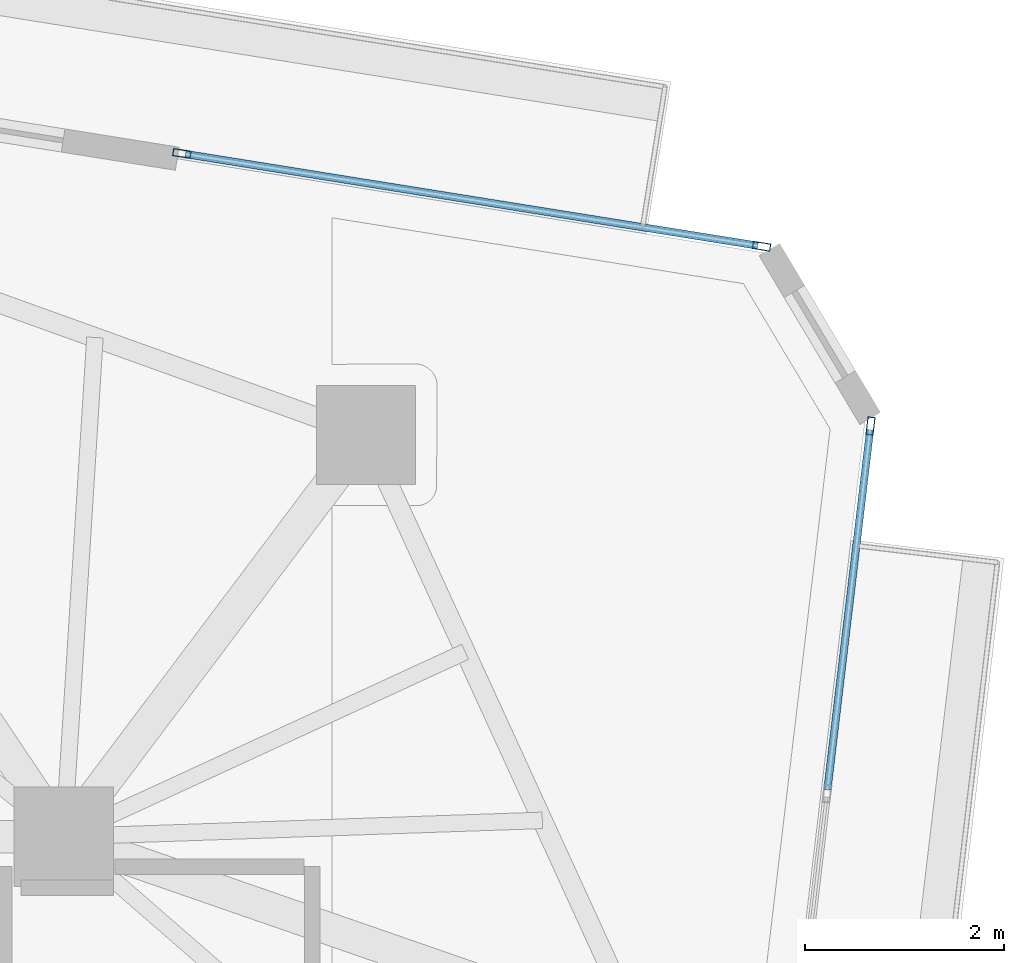
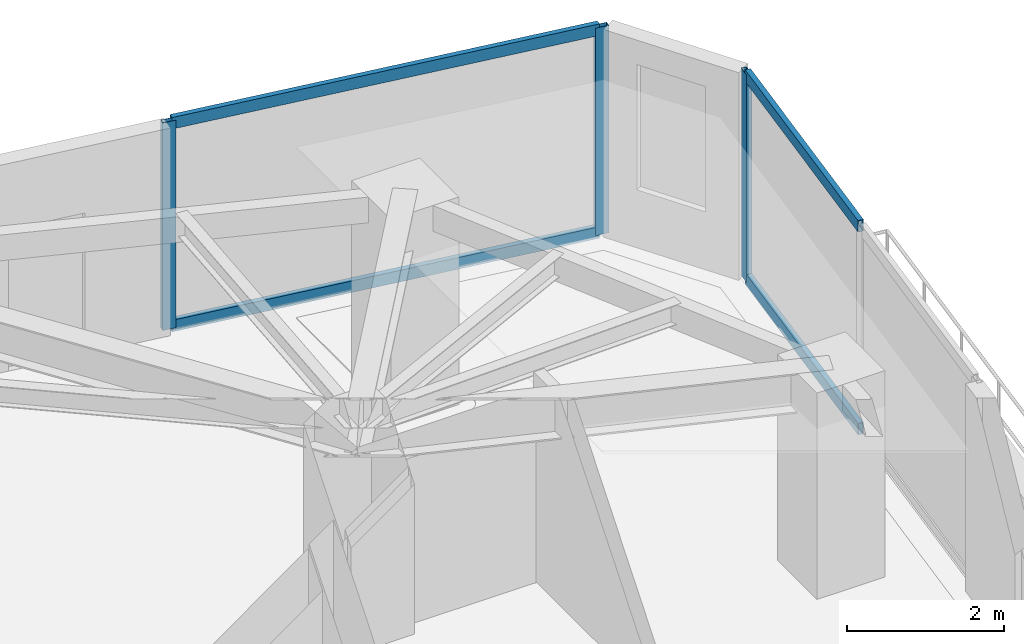
# One storey, part 16 of 22: 7 members, 2 elements without a shape of their own.
"""IFC4 building model written with IfcOpenShell, lengths in metres."""

from ifc_helpers import new_model, si_unit, direction, frame, origin, origin_2d, place, context, subcontext, project, spatial, hollow_rectangle, extrude, source, transform, mapped, material, layer, layer_set, material_profile, profile_set, type_object, type_shapes, element, aggregate, save


model = new_model("IFC4")

# Units and contexts
model_context = context("Model", 3, precision=1e-05, world=origin(), true_north=direction((0.0, 1.0)))
body_context = subcontext(model_context, "Body", "Model", "MODEL_VIEW")
ifc_project = project(units=[si_unit("LENGTHUNIT", "METRE"), si_unit("AREAUNIT", "SQUARE_METRE"), si_unit("VOLUMEUNIT", "CUBIC_METRE"), si_unit("PLANEANGLEUNIT", "RADIAN"), si_unit("MASSUNIT", "GRAM", prefix="KILO")], contexts=[model_context])

# Site, building, storey
site_placement = place(None, origin())
site = spatial("IfcSite", under=ifc_project, at=site_placement, CompositionType="ELEMENT")
building_placement = place(site_placement, origin())
building = spatial("IfcBuilding", under=site, at=building_placement, Name="Talar Marvaseh", CompositionType="ELEMENT")
storey_placement = place(building_placement, frame((0.0, 0.0, 208.199951171875)))
storey = spatial("IfcBuildingStorey", under=building, at=storey_placement, Name="L54", CompositionType="ELEMENT", Elevation=208.199951171875)

# Curtain wall, members
ifc_material = material(Name="Architectural Aluminium", Category="aluminium")
ifc_layer = layer(ifc_material, 0.18994140625)
ifc_layer_set = layer_set([ifc_layer], Name="Architectural Aluminium")
curtain_wall_type = type_object("IfcCurtainWallType", Name="Unitised Solar Atelier Curtain Wall Z3", PredefinedType="NOTDEFINED", material=ifc_layer_set)
curtain_wall_1_placement = place(storey_placement, origin())
curtain_wall_1 = element("IfcCurtainWall", 1, at=curtain_wall_1_placement, inside=storey, type_object=curtain_wall_type, Name="L54 Unitised Solar Atelier Curtain Wall Z3", PredefinedType="NOTDEFINED")
ifc_material_profile_1 = material_profile(ifc_material, hollow_rectangle(XDim=0.074951171875, YDim=0.179931640625, WallThickness=0.0048828125, at=origin_2d()), Name="RHS180x75x5")
ifc_profile_set_1 = profile_set([ifc_material_profile_1], Name="Architectural Aluminium")
member_type_1 = type_object("IfcMemberType", Name="Unitised Curtain Wall Standard Mullion RHS180x75x5", PredefinedType="MULLION", material=ifc_profile_set_1)
shared_shape_1 = source(origin(), body_context, "Body", "SweptSolid", [
    extrude(hollow_rectangle(XDim=0.074951171875, YDim=0.179931640625, WallThickness=0.0048828125, at=origin_2d()), origin(), (0.0, 0.0, 1.0), 3.22998046875),
])
type_shapes(member_type_1, [shared_shape_1])
member_1_placement = place(storey_placement, frame((34.488037109375, 43.774658203125, 0.0), z_axis=(0.0, 0.0, 1.0), x_axis=(0.15808503423, 0.987425501976, 0.0)))
member_1 = element("IfcMember", 2, at=member_1_placement, type_object=member_type_1, Name="CW-Z3 mullion 1", PredefinedType="MULLION", context=body_context, shape_type="MappedRepresentation", body=[
    mapped(shared_shape_1, transform((0.0, 0.0, 0.0), x_axis=(1.0, 0.0, 0.0), y_axis=(0.0, 1.0, 0.0), z_axis=(0.0, 0.0, 1.0), scale=1.0)),
])
member_2_placement = place(storey_placement, frame((40.321044921875, 42.8408203125, 0.0), z_axis=(0.0, 0.0, 1.0), x_axis=(0.15808503423, 0.987425501976, 0.0)))
member_2 = element("IfcMember", 3, at=member_2_placement, type_object=member_type_1, Name="CW-Z3 mullion 2", PredefinedType="MULLION", context=body_context, shape_type="MappedRepresentation", body=[
    mapped(shared_shape_1, transform((0.0, 0.0, 0.0), x_axis=(1.0, 0.0, 0.0), y_axis=(0.0, 1.0, 0.0), z_axis=(0.0, 0.0, 1.0), scale=1.0)),
])

# Curtain wall, member
curtain_wall_2_placement = place(storey_placement, origin())
curtain_wall_2 = element("IfcCurtainWall", 4, at=curtain_wall_2_placement, inside=storey, type_object=curtain_wall_type, Name="L54 Unitised Solar Atelier Curtain Wall Z3", PredefinedType="NOTDEFINED")
member_3_placement = place(storey_placement, frame((41.4169921875, 41.032958984375, 0.0), z_axis=(0.0, 0.0, 1.0), x_axis=(0.993050517361, -0.117688869355, 0.0)))
member_3 = element("IfcMember", 5, at=member_3_placement, type_object=member_type_1, Name="CW-Z3 mullion 1", PredefinedType="MULLION", context=body_context, shape_type="MappedRepresentation", body=[
    mapped(shared_shape_1, transform((0.0, 0.0, 0.0), x_axis=(1.0, 0.0, 0.0), y_axis=(0.0, 1.0, 0.0), z_axis=(0.0, 0.0, 1.0), scale=1.0)),
])

# Member
ifc_material_profile_2 = material_profile(ifc_material, hollow_rectangle(XDim=0.074951171875, YDim=0.179931640625, WallThickness=0.0048828125, at=origin_2d()), Name="RHS180x75x5")
ifc_profile_set_2 = profile_set([ifc_material_profile_2], Name="Architectural Aluminium")
member_type_2 = type_object("IfcMemberType", Name="Unitised Curtain Wall Transom RHS180x75x5", PredefinedType="USERDEFINED", material=ifc_profile_set_2)
shared_shape_2 = source(origin(), body_context, "Body", "SweptSolid", [
    extrude(hollow_rectangle(XDim=0.074951171875, YDim=0.179931640625, WallThickness=0.0048828125, at=origin_2d()), origin(), (0.0, 0.0, 1.0), 5.83203125),
])
member_4_placement = place(storey_placement, frame((34.525146484375, 43.7685546875, 0.03759765625), z_axis=(0.987428089961, -0.158068868395, 0.0), x_axis=(0.158068868395, 0.987428089961, 0.0)))
member_4 = element("IfcMember", 6, at=member_4_placement, type_object=member_type_2, Name="CW-Z3 transom 1.1", ObjectType="TRANSOM", PredefinedType="USERDEFINED", context=body_context, shape_type="MappedRepresentation", body=[
    mapped(shared_shape_2, transform((0.0, 0.0, 0.0), x_axis=(1.0, 0.0, 0.0), y_axis=(0.0, 1.0, 0.0), z_axis=(0.0, 0.0, 1.0), scale=1.0)),
])

member_5_placement = place(storey_placement, frame((34.525146484375, 43.7685546875, 3.192626953125), z_axis=(0.987428089961, -0.158068868395, 0.0), x_axis=(0.158068868395, 0.987428089961, 0.0)))
member_5 = element("IfcMember", 7, at=member_5_placement, type_object=member_type_2, Name="CW-Z3 transom 1.2", ObjectType="TRANSOM", PredefinedType="USERDEFINED", context=body_context, shape_type="MappedRepresentation", body=[
    mapped(shared_shape_2, transform((0.0, 0.0, 0.0), x_axis=(1.0, 0.0, 0.0), y_axis=(0.0, 1.0, 0.0), z_axis=(0.0, 0.0, 1.0), scale=1.0)),
])

aggregate(curtain_wall_1, [member_1, member_2, member_4, member_5])

shared_shape_3 = source(origin(), body_context, "Body", "SweptSolid", [
    extrude(hollow_rectangle(XDim=0.074951171875, YDim=0.179931640625, WallThickness=0.0048828125, at=origin_2d()), origin(), (0.0, 0.0, 1.0), 3.648681640625),
])
type_shapes(member_type_2, [shared_shape_2, shared_shape_3])
member_6_placement = place(storey_placement, frame((41.41259765625, 40.99560546875, 0.03759765625), z_axis=(-0.117699191972, -0.993049293947, 0.0), x_axis=(0.993049293947, -0.117699191972, 0.0)))
member_6 = element("IfcMember", 8, at=member_6_placement, type_object=member_type_2, Name="CW-Z3 transom 1.1", ObjectType="TRANSOM", PredefinedType="USERDEFINED", context=body_context, shape_type="MappedRepresentation", body=[
    mapped(shared_shape_3, transform((0.0, 0.0, 0.0), x_axis=(1.0, 0.0, 0.0), y_axis=(0.0, 1.0, 0.0), z_axis=(0.0, 0.0, 1.0), scale=1.0)),
])

member_7_placement = place(storey_placement, frame((41.41259765625, 40.99560546875, 3.192626953125), z_axis=(-0.117699191972, -0.993049293947, 0.0), x_axis=(0.993049293947, -0.117699191972, 0.0)))
member_7 = element("IfcMember", 9, at=member_7_placement, type_object=member_type_2, Name="CW-Z3 transom 1.2", ObjectType="TRANSOM", PredefinedType="USERDEFINED", context=body_context, shape_type="MappedRepresentation", body=[
    mapped(shared_shape_3, transform((0.0, 0.0, 0.0), x_axis=(1.0, 0.0, 0.0), y_axis=(0.0, 1.0, 0.0), z_axis=(0.0, 0.0, 1.0), scale=1.0)),
])

aggregate(curtain_wall_2, [member_3, member_6, member_7])

save(model, "model.ifc")
